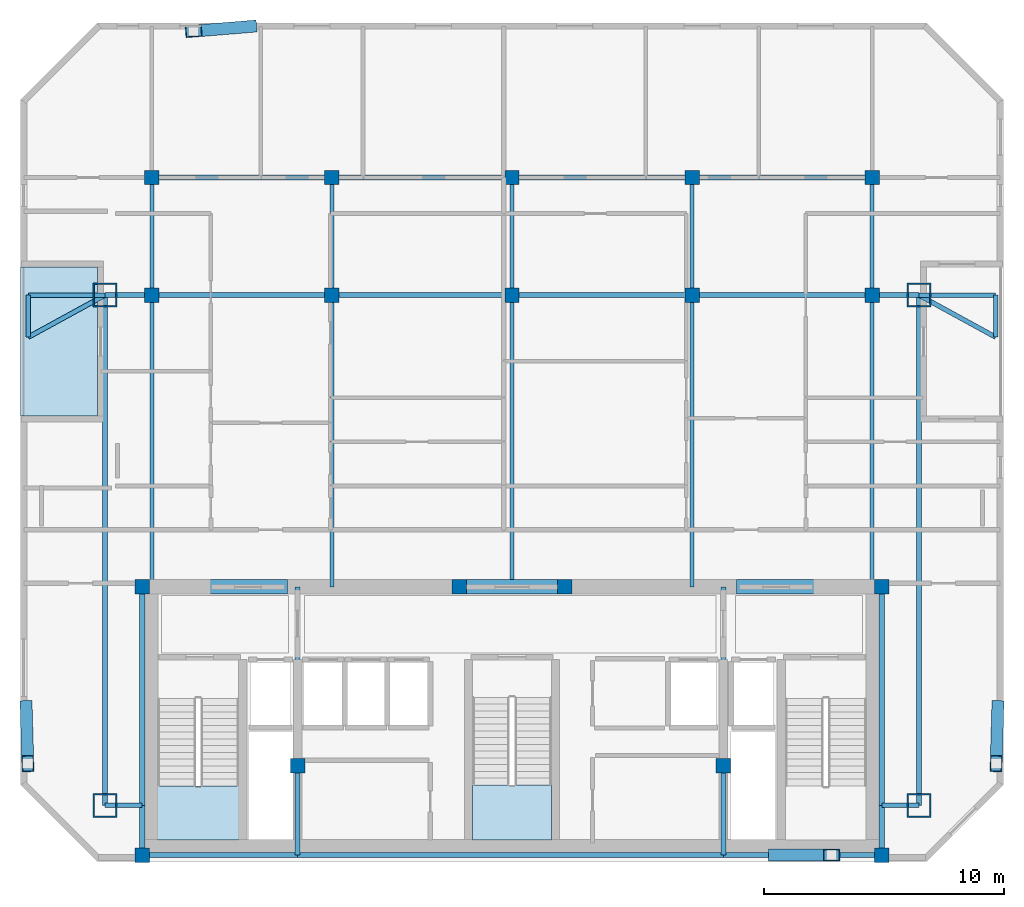
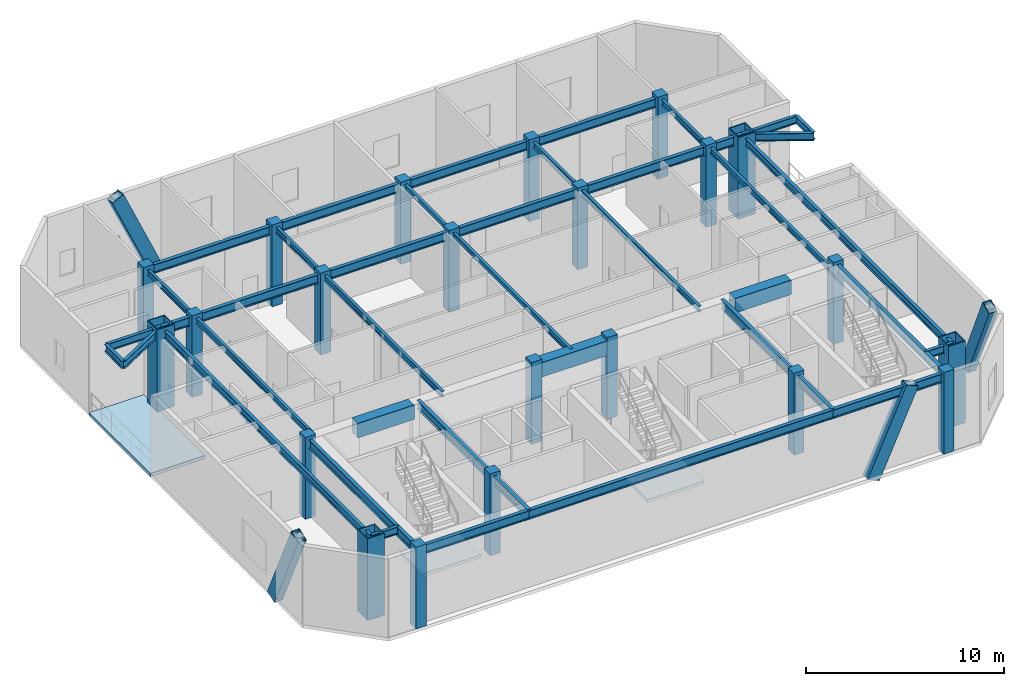
# One storey, part 1 of 7: 44 beams, 22 columns, 4 members, 3 slabs, 2 elements without a shape of their own.
"""IFC4 building model written with IfcOpenShell, lengths in metres."""

from ifc_helpers import new_model, si_unit, direction, frame, origin, origin_2d, place, context, subcontext, project, spatial, polyline, rectangle, hollow_rectangle, i_section, outline, extrude, material, layer, layer_set, material_profile, profile_set, type_object, element, aggregate, save


model = new_model("IFC4")

# Units and contexts
model_context = context("Model", 3, precision=1e-05, world=origin(), true_north=direction((0.0, 1.0)))
body_context = subcontext(model_context, "Body", "Model", "MODEL_VIEW")
ifc_project = project(units=[si_unit("LENGTHUNIT", "METRE"), si_unit("AREAUNIT", "SQUARE_METRE"), si_unit("VOLUMEUNIT", "CUBIC_METRE"), si_unit("PLANEANGLEUNIT", "RADIAN"), si_unit("MASSUNIT", "GRAM", prefix="KILO")], contexts=[model_context])

# Site, building, storey
site_placement = place(None, origin())
site = spatial("IfcSite", under=ifc_project, at=site_placement, CompositionType="ELEMENT")
building_placement = place(site_placement, origin())
building = spatial("IfcBuilding", under=site, at=building_placement, Name="Ventersveld Concourse Tower", CompositionType="ELEMENT")
storey_placement = place(building_placement, frame((0.0, 0.0, 276.0)))
storey = spatial("IfcBuildingStorey", under=building, at=storey_placement, Name="L68", CompositionType="ELEMENT", Elevation=276.0)

# Columns
ifc_material_1 = material(Name="Concrete C50/60", Category="concrete")
ifc_material_profile_1 = material_profile(ifc_material_1, rectangle(XDim=0.60009765625, YDim=0.60009765625, at=origin_2d()), Name="RC 600x600")
ifc_profile_set_1 = profile_set([ifc_material_profile_1], Name="Concrete C50/60")
column_type_1 = type_object("IfcColumnType", Name="COL-RC600", PredefinedType="COLUMN", material=ifc_profile_set_1)
for number, where, z_axis, x_axis, name in (
    (1, (13.35009765625, 0.280029296875, 0.0), (0.0, 0.0, 1.0), (1.0, 0.0, 0.0), "L68 Core Spine Column CC-SW"),
    (2, (44.14990234375, 0.280029296875, 0.0), (0.0, 0.0, 1.0), (1.0, 0.0, 0.0), "L68 Core Spine Column CC-SE"),
    (3, (13.35009765625, 11.449951171875, 0.0), (0.0, 0.0, 1.0), (1.0, 0.0, 0.0), "L68 Core Spine Column CC-NW"),
    (4, (44.14990234375, 11.449951171875, 0.0), (0.0, 0.0, 1.0), (1.0, 0.0, 0.0), "L68 Core Spine Column CC-NE"),
    (5, (19.820068359375, 4.0, 0.0), (0.0, 0.0, 1.0), (1.0, 0.0, 0.0), "L68 Core Spine Column CM-1"),
    (6, (37.550048828125, 4.0, 0.0), (0.0, 0.0, 1.0), (1.0, 0.0, 0.0), "L68 Core Spine Column CM-2"),
    (7, (26.550048828125, 11.449951171875, 0.0), (0.0, 0.0, 1.0), (1.0, 0.0, 0.0), "L68 Core Spine Column CM-3"),
    (8, (30.949951171875, 11.449951171875, 0.0), (0.0, 0.0, 1.0), (1.0, 0.0, 0.0), "L68 Core Spine Column CM-4"),
    (9, (13.75, 23.60009765625, 0.0), (0.0, 0.0, 1.0), (1.0, 0.0, 0.0), "L68 Interior Gravity Column X=13.75 Y=23.60"),
    (10, (21.25, 23.60009765625, 0.0), (0.0, 0.0, 1.0), (1.0, 0.0, 0.0), "L68 Interior Gravity Column X=21.25 Y=23.60"),
    (11, (28.75, 23.60009765625, 0.0), (0.0, 0.0, 1.0), (1.0, 0.0, 0.0), "L68 Interior Gravity Column X=28.75 Y=23.60"),
    (12, (36.25, 23.60009765625, 0.0), (0.0, 0.0, 1.0), (1.0, 0.0, 0.0), "L68 Interior Gravity Column X=36.25 Y=23.60"),
    (13, (43.75, 23.60009765625, 0.0), (0.0, 0.0, 1.0), (1.0, 0.0, 0.0), "L68 Interior Gravity Column X=43.75 Y=23.60"),
    (14, (13.75, 28.5, 0.0), (0.0, 0.0, 1.0), (1.0, 0.0, 0.0), "L68 Upper-North Gravity Column X=13.75 Y=28.50"),
    (15, (21.25, 28.5, 0.0), (0.0, 0.0, 1.0), (1.0, 0.0, 0.0), "L68 Upper-North Gravity Column X=21.25 Y=28.50"),
    (16, (28.75, 28.5, 0.0), (0.0, 0.0, 1.0), (1.0, 0.0, 0.0), "L68 Upper-North Gravity Column X=28.75 Y=28.50"),
    (17, (36.25, 28.5, 0.0), (0.0, 0.0, 1.0), (1.0, 0.0, 0.0), "L68 Upper-North Gravity Column X=36.25 Y=28.50"),
    (18, (43.75, 28.5, 0.0), (0.0, 0.0, 1.0), (1.0, 0.0, 0.0), "L68 Upper-North Gravity Column X=43.75 Y=28.50"),
):
    element("IfcColumn", number, at=place(storey_placement, frame(where, z_axis=z_axis, x_axis=x_axis)), inside=storey, type_object=column_type_1, Name=name, PredefinedType="COLUMN", context=body_context, shape_type="SweptSolid", body=[
        extrude(rectangle(XDim=0.60009765625, YDim=0.60009765625, at=origin_2d()), origin(), (0.0, 0.0, 1.0), 5.050048828125),
    ])
ifc_material_2 = material(Name="Structural steel S460ML", Category="steel")
ifc_material_profile_2 = material_profile(ifc_material_2, hollow_rectangle(XDim=1.0, YDim=1.0, WallThickness=0.06005859375, at=origin_2d()), Name="BOX 1000x1000x60")
ifc_profile_set_2 = profile_set([ifc_material_profile_2], Name="Structural steel S460ML")
column_type_2 = type_object("IfcColumnType", Name="MC-1000", PredefinedType="USERDEFINED", material=ifc_profile_set_2)
for number, where, z_axis, x_axis, name in (
    (19, (11.800048828125, 2.35009765625, 0.0), (0.0, 0.0, 1.0), (1.0, 0.0, 0.0), "L68 Corner Mega-Column MC-SW"),
    (20, (45.699951171875, 2.35009765625, 0.0), (0.0, 0.0, 1.0), (1.0, 0.0, 0.0), "L68 Corner Mega-Column MC-SE"),
    (21, (45.699951171875, 23.60009765625, 0.0), (0.0, 0.0, 1.0), (1.0, 0.0, 0.0), "L68 Corner Mega-Column MC-NE"),
    (22, (11.800048828125, 23.60009765625, 0.0), (0.0, 0.0, 1.0), (1.0, 0.0, 0.0), "L68 Corner Mega-Column MC-NW"),
):
    element("IfcColumn", number, at=place(storey_placement, frame(where, z_axis=z_axis, x_axis=x_axis)), inside=storey, type_object=column_type_2, Name=name, ObjectType="MEGA_COLUMN", PredefinedType="USERDEFINED", context=body_context, shape_type="SweptSolid", body=[
        extrude(hollow_rectangle(XDim=1.0, YDim=1.0, WallThickness=0.06005859375, at=origin_2d()), origin(), (0.0, 0.0, 1.0), 5.050048828125),
    ])

# Beams
ifc_material_3 = material(Name="Structural steel S355J2", Category="steel")
ifc_material_profile_3 = material_profile(ifc_material_3, i_section(OverallWidth=0.17138671875, OverallDepth=0.35498046875, WebThickness=0.00732421875, FlangeThickness=0.011474609375, FilletRadius=0.01025390625, at=origin_2d()), Name="UB 356x171x51")
ifc_profile_set_3 = profile_set([ifc_material_profile_3], Name="Structural steel S355J2")
beam_type_1 = type_object("IfcBeamType", Name="BM-UB356", PredefinedType="BEAM", material=ifc_profile_set_3)
beam_1_placement = place(storey_placement, frame((13.75, 11.449951171875, 4.672607421875), z_axis=(0.0, 1.0, 0.0), x_axis=(-1.0, 0.0, 0.0)))
element("IfcBeam", 23, at=beam_1_placement, inside=storey, type_object=beam_type_1, Name="L68 N-S Composite Floor Beam South X=13.75", PredefinedType="BEAM", context=body_context, shape_type="SweptSolid", body=[
    extrude(i_section(OverallWidth=0.17138671875, OverallDepth=0.35498046875, WebThickness=0.00732421875, FlangeThickness=0.011474609375, FilletRadius=0.01025390625, at=origin_2d()), origin(), (0.0, 0.0, 1.0), 12.150146484375),
])
beam_2_placement = place(storey_placement, frame((13.75, 23.60009765625, 4.672607421875), z_axis=(0.0, 1.0, 0.0), x_axis=(-1.0, 0.0, 0.0)))
element("IfcBeam", 24, at=beam_2_placement, inside=storey, type_object=beam_type_1, Name="L68 N-S Upper-Zone Floor Beam X=13.75", PredefinedType="BEAM", context=body_context, shape_type="SweptSolid", body=[
    extrude(i_section(OverallWidth=0.17138671875, OverallDepth=0.35498046875, WebThickness=0.00732421875, FlangeThickness=0.011474609375, FilletRadius=0.01025390625, at=origin_2d()), origin(), (0.0, 0.0, 1.0), 4.89990234375),
])
beam_3_placement = place(storey_placement, frame((21.25, 11.449951171875, 4.672607421875), z_axis=(0.0, 1.0, 0.0), x_axis=(-1.0, 0.0, 0.0)))
element("IfcBeam", 25, at=beam_3_placement, inside=storey, type_object=beam_type_1, Name="L68 N-S Composite Floor Beam South X=21.25", PredefinedType="BEAM", context=body_context, shape_type="SweptSolid", body=[
    extrude(i_section(OverallWidth=0.17138671875, OverallDepth=0.35498046875, WebThickness=0.00732421875, FlangeThickness=0.011474609375, FilletRadius=0.01025390625, at=origin_2d()), origin(), (0.0, 0.0, 1.0), 12.150146484375),
])
beam_4_placement = place(storey_placement, frame((21.25, 23.60009765625, 4.672607421875), z_axis=(0.0, 1.0, 0.0), x_axis=(-1.0, 0.0, 0.0)))
element("IfcBeam", 26, at=beam_4_placement, inside=storey, type_object=beam_type_1, Name="L68 N-S Upper-Zone Floor Beam X=21.25", PredefinedType="BEAM", context=body_context, shape_type="SweptSolid", body=[
    extrude(i_section(OverallWidth=0.17138671875, OverallDepth=0.35498046875, WebThickness=0.00732421875, FlangeThickness=0.011474609375, FilletRadius=0.01025390625, at=origin_2d()), origin(), (0.0, 0.0, 1.0), 4.89990234375),
])
beam_5_placement = place(storey_placement, frame((28.75, 11.449951171875, 4.672607421875), z_axis=(0.0, 1.0, 0.0), x_axis=(-1.0, 0.0, 0.0)))
element("IfcBeam", 27, at=beam_5_placement, inside=storey, type_object=beam_type_1, Name="L68 N-S Composite Floor Beam South X=28.75", PredefinedType="BEAM", context=body_context, shape_type="SweptSolid", body=[
    extrude(i_section(OverallWidth=0.17138671875, OverallDepth=0.35498046875, WebThickness=0.00732421875, FlangeThickness=0.011474609375, FilletRadius=0.01025390625, at=origin_2d()), origin(), (0.0, 0.0, 1.0), 12.150146484375),
])
beam_6_placement = place(storey_placement, frame((28.75, 23.60009765625, 4.672607421875), z_axis=(0.0, 1.0, 0.0), x_axis=(-1.0, 0.0, 0.0)))
element("IfcBeam", 28, at=beam_6_placement, inside=storey, type_object=beam_type_1, Name="L68 N-S Upper-Zone Floor Beam X=28.75", PredefinedType="BEAM", context=body_context, shape_type="SweptSolid", body=[
    extrude(i_section(OverallWidth=0.17138671875, OverallDepth=0.35498046875, WebThickness=0.00732421875, FlangeThickness=0.011474609375, FilletRadius=0.01025390625, at=origin_2d()), origin(), (0.0, 0.0, 1.0), 4.89990234375),
])
beam_7_placement = place(storey_placement, frame((36.25, 11.449951171875, 4.672607421875), z_axis=(0.0, 1.0, 0.0), x_axis=(-1.0, 0.0, 0.0)))
element("IfcBeam", 29, at=beam_7_placement, inside=storey, type_object=beam_type_1, Name="L68 N-S Composite Floor Beam South X=36.25", PredefinedType="BEAM", context=body_context, shape_type="SweptSolid", body=[
    extrude(i_section(OverallWidth=0.17138671875, OverallDepth=0.35498046875, WebThickness=0.00732421875, FlangeThickness=0.011474609375, FilletRadius=0.01025390625, at=origin_2d()), origin(), (0.0, 0.0, 1.0), 12.150146484375),
])
beam_8_placement = place(storey_placement, frame((36.25, 23.60009765625, 4.672607421875), z_axis=(0.0, 1.0, 0.0), x_axis=(-1.0, 0.0, 0.0)))
element("IfcBeam", 30, at=beam_8_placement, inside=storey, type_object=beam_type_1, Name="L68 N-S Upper-Zone Floor Beam X=36.25", PredefinedType="BEAM", context=body_context, shape_type="SweptSolid", body=[
    extrude(i_section(OverallWidth=0.17138671875, OverallDepth=0.35498046875, WebThickness=0.00732421875, FlangeThickness=0.011474609375, FilletRadius=0.01025390625, at=origin_2d()), origin(), (0.0, 0.0, 1.0), 4.89990234375),
])
beam_9_placement = place(storey_placement, frame((43.75, 11.449951171875, 4.672607421875), z_axis=(0.0, 1.0, 0.0), x_axis=(-1.0, 0.0, 0.0)))
element("IfcBeam", 31, at=beam_9_placement, inside=storey, type_object=beam_type_1, Name="L68 N-S Composite Floor Beam South X=43.75", PredefinedType="BEAM", context=body_context, shape_type="SweptSolid", body=[
    extrude(i_section(OverallWidth=0.17138671875, OverallDepth=0.35498046875, WebThickness=0.00732421875, FlangeThickness=0.011474609375, FilletRadius=0.01025390625, at=origin_2d()), origin(), (0.0, 0.0, 1.0), 12.150146484375),
])
beam_10_placement = place(storey_placement, frame((43.75, 23.60009765625, 4.672607421875), z_axis=(0.0, 1.0, 0.0), x_axis=(-1.0, 0.0, 0.0)))
element("IfcBeam", 32, at=beam_10_placement, inside=storey, type_object=beam_type_1, Name="L68 N-S Upper-Zone Floor Beam X=43.75", PredefinedType="BEAM", context=body_context, shape_type="SweptSolid", body=[
    extrude(i_section(OverallWidth=0.17138671875, OverallDepth=0.35498046875, WebThickness=0.00732421875, FlangeThickness=0.011474609375, FilletRadius=0.01025390625, at=origin_2d()), origin(), (0.0, 0.0, 1.0), 4.89990234375),
])
ifc_material_profile_4 = material_profile(ifc_material_1, rectangle(XDim=0.60009765625, YDim=0.89990234375, at=origin_2d()), Name="RC 600x900")
ifc_profile_set_4 = profile_set([ifc_material_profile_4], Name="Concrete C50/60")
beam_type_2 = type_object("IfcBeamType", Name="CB-RC600x900U", PredefinedType="LINTEL", material=ifc_profile_set_4)
beam_11_placement = place(storey_placement, frame((16.10009765625, 11.449951171875, 4.39990234375), z_axis=(1.0, 0.0, 0.0), x_axis=(0.0, 1.0, 0.0)))
element("IfcBeam", 33, at=beam_11_placement, inside=storey, type_object=beam_type_2, Name="L68 Core Coupling Lintel Beam 1", PredefinedType="LINTEL", context=body_context, shape_type="SweptSolid", body=[
    extrude(rectangle(XDim=0.60009765625, YDim=0.89990234375, at=origin_2d()), origin(), (0.0, 0.0, 1.0), 3.2998046875),
])
beam_12_placement = place(storey_placement, frame((26.5, 11.449951171875, 4.39990234375), z_axis=(1.0, 0.0, 0.0), x_axis=(0.0, 1.0, 0.0)))
element("IfcBeam", 34, at=beam_12_placement, inside=storey, type_object=beam_type_2, Name="L68 Core Coupling Lintel Beam 2", PredefinedType="LINTEL", context=body_context, shape_type="SweptSolid", body=[
    extrude(rectangle(XDim=0.60009765625, YDim=0.89990234375, at=origin_2d()), origin(), (0.0, 0.0, 1.0), 4.5),
])
beam_13_placement = place(storey_placement, frame((38.10009765625, 11.449951171875, 4.39990234375), z_axis=(1.0, 0.0, 0.0), x_axis=(0.0, 1.0, 0.0)))
element("IfcBeam", 35, at=beam_13_placement, inside=storey, type_object=beam_type_2, Name="L68 Core Coupling Lintel Beam 3", PredefinedType="LINTEL", context=body_context, shape_type="SweptSolid", body=[
    extrude(rectangle(XDim=0.60009765625, YDim=0.89990234375, at=origin_2d()), origin(), (0.0, 0.0, 1.0), 3.2998046875),
])
ifc_material_profile_5 = material_profile(ifc_material_3, i_section(OverallWidth=0.2119140625, OverallDepth=0.54443359375, WebThickness=0.0126953125, FlangeThickness=0.021240234375, FilletRadius=0.0126953125, at=origin_2d()), Name="UB 533x210x122")
ifc_profile_set_5 = profile_set([ifc_material_profile_5], Name="Structural steel S355J2")
beam_type_3 = type_object("IfcBeamType", Name="GRD-UB533H", PredefinedType="T_BEAM", material=ifc_profile_set_5)
beam_14_placement = place(storey_placement, frame((13.35009765625, 0.280029296875, 4.577880859375), z_axis=(0.0, 1.0, 0.0), x_axis=(-1.0, 0.0, 0.0)))
element("IfcBeam", 36, at=beam_14_placement, inside=storey, type_object=beam_type_3, Name="L68 Core West Tie Beam S", PredefinedType="T_BEAM", context=body_context, shape_type="SweptSolid", body=[
    extrude(i_section(OverallWidth=0.2119140625, OverallDepth=0.54443359375, WebThickness=0.0126953125, FlangeThickness=0.021240234375, FilletRadius=0.0126953125, at=origin_2d()), origin(), (0.0, 0.0, 1.0), 2.070068359375),
])
beam_15_placement = place(storey_placement, frame((13.35009765625, 2.35009765625, 4.577880859375), z_axis=(0.0, 1.0, 0.0), x_axis=(-1.0, 0.0, 0.0)))
element("IfcBeam", 37, at=beam_15_placement, inside=storey, type_object=beam_type_3, Name="L68 Core West Tie Beam N", PredefinedType="T_BEAM", context=body_context, shape_type="SweptSolid", body=[
    extrude(i_section(OverallWidth=0.2119140625, OverallDepth=0.54443359375, WebThickness=0.0126953125, FlangeThickness=0.021240234375, FilletRadius=0.0126953125, at=origin_2d()), origin(), (0.0, 0.0, 1.0), 9.099853515625),
])
beam_16_placement = place(storey_placement, frame((44.14990234375, 0.280029296875, 4.577880859375), z_axis=(0.0, 1.0, 0.0), x_axis=(-1.0, 0.0, 0.0)))
element("IfcBeam", 38, at=beam_16_placement, inside=storey, type_object=beam_type_3, Name="L68 Core East Tie Beam S", PredefinedType="T_BEAM", context=body_context, shape_type="SweptSolid", body=[
    extrude(i_section(OverallWidth=0.2119140625, OverallDepth=0.54443359375, WebThickness=0.0126953125, FlangeThickness=0.021240234375, FilletRadius=0.0126953125, at=origin_2d()), origin(), (0.0, 0.0, 1.0), 2.070068359375),
])
beam_17_placement = place(storey_placement, frame((44.14990234375, 2.35009765625, 4.577880859375), z_axis=(0.0, 1.0, 0.0), x_axis=(-1.0, 0.0, 0.0)))
element("IfcBeam", 39, at=beam_17_placement, inside=storey, type_object=beam_type_3, Name="L68 Core East Tie Beam N", PredefinedType="T_BEAM", context=body_context, shape_type="SweptSolid", body=[
    extrude(i_section(OverallWidth=0.2119140625, OverallDepth=0.54443359375, WebThickness=0.0126953125, FlangeThickness=0.021240234375, FilletRadius=0.0126953125, at=origin_2d()), origin(), (0.0, 0.0, 1.0), 9.099853515625),
])
beam_18_placement = place(storey_placement, frame((13.35009765625, 0.280029296875, 4.577880859375), z_axis=(1.0, 0.0, 0.0), x_axis=(0.0, 1.0, 0.0)))
element("IfcBeam", 40, at=beam_18_placement, inside=storey, type_object=beam_type_3, Name="L68 Core South Tie Beam W", PredefinedType="T_BEAM", context=body_context, shape_type="SweptSolid", body=[
    extrude(i_section(OverallWidth=0.2119140625, OverallDepth=0.54443359375, WebThickness=0.0126953125, FlangeThickness=0.021240234375, FilletRadius=0.0126953125, at=origin_2d()), origin(), (0.0, 0.0, 1.0), 6.469970703125),
])
beam_19_placement = place(storey_placement, frame((19.820068359375, 0.280029296875, 4.577880859375), z_axis=(1.0, 0.0, 0.0), x_axis=(0.0, 1.0, 0.0)))
element("IfcBeam", 41, at=beam_19_placement, inside=storey, type_object=beam_type_3, Name="L68 Core South Tie Beam C", PredefinedType="T_BEAM", context=body_context, shape_type="SweptSolid", body=[
    extrude(i_section(OverallWidth=0.2119140625, OverallDepth=0.54443359375, WebThickness=0.0126953125, FlangeThickness=0.021240234375, FilletRadius=0.0126953125, at=origin_2d()), origin(), (0.0, 0.0, 1.0), 17.72998046875),
])
beam_20_placement = place(storey_placement, frame((37.550048828125, 0.280029296875, 4.577880859375), z_axis=(1.0, 0.0, 0.0), x_axis=(0.0, 1.0, 0.0)))
element("IfcBeam", 42, at=beam_20_placement, inside=storey, type_object=beam_type_3, Name="L68 Core South Tie Beam E", PredefinedType="T_BEAM", context=body_context, shape_type="SweptSolid", body=[
    extrude(i_section(OverallWidth=0.2119140625, OverallDepth=0.54443359375, WebThickness=0.0126953125, FlangeThickness=0.021240234375, FilletRadius=0.0126953125, at=origin_2d()), origin(), (0.0, 0.0, 1.0), 6.599853515625),
])
beam_21_placement = place(storey_placement, frame((19.820068359375, 0.280029296875, 4.577880859375), z_axis=(0.0, 1.0, 0.0), x_axis=(-1.0, 0.0, 0.0)))
element("IfcBeam", 43, at=beam_21_placement, inside=storey, type_object=beam_type_3, Name="L68 Core Spine N-S Tie Beam W1", PredefinedType="T_BEAM", context=body_context, shape_type="SweptSolid", body=[
    extrude(i_section(OverallWidth=0.2119140625, OverallDepth=0.54443359375, WebThickness=0.0126953125, FlangeThickness=0.021240234375, FilletRadius=0.0126953125, at=origin_2d()), origin(), (0.0, 0.0, 1.0), 3.719970703125),
])
beam_22_placement = place(storey_placement, frame((19.820068359375, 4.0, 4.577880859375), z_axis=(0.0, 1.0, 0.0), x_axis=(-1.0, 0.0, 0.0)))
element("IfcBeam", 44, at=beam_22_placement, inside=storey, type_object=beam_type_3, Name="L68 Core Spine N-S Tie Beam W2", PredefinedType="T_BEAM", context=body_context, shape_type="SweptSolid", body=[
    extrude(i_section(OverallWidth=0.2119140625, OverallDepth=0.54443359375, WebThickness=0.0126953125, FlangeThickness=0.021240234375, FilletRadius=0.0126953125, at=origin_2d()), origin(), (0.0, 0.0, 1.0), 7.449951171875),
])
beam_23_placement = place(storey_placement, frame((37.550048828125, 0.280029296875, 4.577880859375), z_axis=(0.0, 1.0, 0.0), x_axis=(-1.0, 0.0, 0.0)))
element("IfcBeam", 45, at=beam_23_placement, inside=storey, type_object=beam_type_3, Name="L68 Core Spine N-S Tie Beam E1", PredefinedType="T_BEAM", context=body_context, shape_type="SweptSolid", body=[
    extrude(i_section(OverallWidth=0.2119140625, OverallDepth=0.54443359375, WebThickness=0.0126953125, FlangeThickness=0.021240234375, FilletRadius=0.0126953125, at=origin_2d()), origin(), (0.0, 0.0, 1.0), 3.719970703125),
])
beam_24_placement = place(storey_placement, frame((37.550048828125, 4.0, 4.577880859375), z_axis=(0.0, 1.0, 0.0), x_axis=(-1.0, 0.0, 0.0)))
element("IfcBeam", 46, at=beam_24_placement, inside=storey, type_object=beam_type_3, Name="L68 Core Spine N-S Tie Beam E2", PredefinedType="T_BEAM", context=body_context, shape_type="SweptSolid", body=[
    extrude(i_section(OverallWidth=0.2119140625, OverallDepth=0.54443359375, WebThickness=0.0126953125, FlangeThickness=0.021240234375, FilletRadius=0.0126953125, at=origin_2d()), origin(), (0.0, 0.0, 1.0), 7.449951171875),
])
beam_25_placement = place(storey_placement, frame((11.800048828125, 23.60009765625, 4.577880859375), z_axis=(1.0, 0.0, 0.0), x_axis=(0.0, 1.0, 0.0)))
element("IfcBeam", 47, at=beam_25_placement, inside=storey, type_object=beam_type_3, Name="L68 Primary E-W Grid Girder Y=23.60 #1", PredefinedType="T_BEAM", context=body_context, shape_type="SweptSolid", body=[
    extrude(i_section(OverallWidth=0.2119140625, OverallDepth=0.54443359375, WebThickness=0.0126953125, FlangeThickness=0.021240234375, FilletRadius=0.0126953125, at=origin_2d()), origin(), (0.0, 0.0, 1.0), 1.949951171875),
])
for number, where, z_axis, x_axis, name in (
    (48, (13.75, 23.60009765625, 4.577880859375), (1.0, 0.0, 0.0), (0.0, 1.0, 0.0), "L68 Primary E-W Grid Girder Y=23.60 #2"),
    (49, (21.25, 23.60009765625, 4.577880859375), (1.0, 0.0, 0.0), (0.0, 1.0, 0.0), "L68 Primary E-W Grid Girder Y=23.60 #3"),
    (50, (28.75, 23.60009765625, 4.577880859375), (1.0, 0.0, 0.0), (0.0, 1.0, 0.0), "L68 Primary E-W Grid Girder Y=23.60 #4"),
    (51, (36.25, 23.60009765625, 4.577880859375), (1.0, 0.0, 0.0), (0.0, 1.0, 0.0), "L68 Primary E-W Grid Girder Y=23.60 #5"),
):
    element("IfcBeam", number, at=place(storey_placement, frame(where, z_axis=z_axis, x_axis=x_axis)), inside=storey, type_object=beam_type_3, Name=name, PredefinedType="T_BEAM", context=body_context, shape_type="SweptSolid", body=[
        extrude(i_section(OverallWidth=0.2119140625, OverallDepth=0.54443359375, WebThickness=0.0126953125, FlangeThickness=0.021240234375, FilletRadius=0.0126953125, at=origin_2d()), origin(), (0.0, 0.0, 1.0), 7.5),
    ])
beam_26_placement = place(storey_placement, frame((43.75, 23.60009765625, 4.577880859375), z_axis=(1.0, 0.0, 0.0), x_axis=(0.0, 1.0, 0.0)))
element("IfcBeam", 52, at=beam_26_placement, inside=storey, type_object=beam_type_3, Name="L68 Primary E-W Grid Girder Y=23.60 #6", PredefinedType="T_BEAM", context=body_context, shape_type="SweptSolid", body=[
    extrude(i_section(OverallWidth=0.2119140625, OverallDepth=0.54443359375, WebThickness=0.0126953125, FlangeThickness=0.021240234375, FilletRadius=0.0126953125, at=origin_2d()), origin(), (0.0, 0.0, 1.0), 1.949951171875),
])
for number, where, z_axis, x_axis, name in (
    (53, (13.75, 28.5, 4.577880859375), (1.0, 0.0, 0.0), (0.0, 1.0, 0.0), "L68 Upper-North E-W Girder Y=28.50 #1"),
    (54, (21.25, 28.5, 4.577880859375), (1.0, 0.0, 0.0), (0.0, 1.0, 0.0), "L68 Upper-North E-W Girder Y=28.50 #2"),
    (55, (28.75, 28.5, 4.577880859375), (1.0, 0.0, 0.0), (0.0, 1.0, 0.0), "L68 Upper-North E-W Girder Y=28.50 #3"),
    (56, (36.25, 28.5, 4.577880859375), (1.0, 0.0, 0.0), (0.0, 1.0, 0.0), "L68 Upper-North E-W Girder Y=28.50 #4"),
):
    element("IfcBeam", number, at=place(storey_placement, frame(where, z_axis=z_axis, x_axis=x_axis)), inside=storey, type_object=beam_type_3, Name=name, PredefinedType="T_BEAM", context=body_context, shape_type="SweptSolid", body=[
        extrude(i_section(OverallWidth=0.2119140625, OverallDepth=0.54443359375, WebThickness=0.0126953125, FlangeThickness=0.021240234375, FilletRadius=0.0126953125, at=origin_2d()), origin(), (0.0, 0.0, 1.0), 7.5),
    ])

# Members
ifc_material_4 = material(Name="Structural steel S355ML", Category="steel")
ifc_material_profile_6 = material_profile(ifc_material_4, hollow_rectangle(XDim=0.5, YDim=0.75, WallThickness=0.034912109375, at=origin_2d()), Name="BOX 750x500x35")
ifc_profile_set_6 = profile_set([ifc_material_profile_6], Name="Structural steel S355ML")
member_type = type_object("IfcMemberType", Name="MB-750x500", PredefinedType="BRACE", material=ifc_profile_set_6)
member_1_placement = place(storey_placement, frame((17.77099609375, 34.783203125, -0.199951171875), z_axis=(-0.411475193003, -0.033816259842, 0.910793404737), x_axis=(0.08190684983, -0.996639989139, 0.0)))
element("IfcMember", 57, at=member_1_placement, inside=storey, type_object=member_type, Name="L68 Exterior Mega-Brace N (Module M16)", PredefinedType="BRACE", context=body_context, shape_type="SweptSolid", body=[
    extrude(hollow_rectangle(XDim=0.5, YDim=0.75, WallThickness=0.034912109375, at=origin_2d()), origin(), (0.0, 0.0, 1.0), 5.544677734375),
])
member_2_placement = place(storey_placement, frame((39.77880859375, 0.280029296875, -0.199951171875), z_axis=(0.411747251944, 0.0, 0.911298085434), x_axis=(0.0, 1.0, 0.0)))
element("IfcMember", 58, at=member_2_placement, inside=storey, type_object=member_type, Name="L68 Exterior Mega-Brace S (Module M16)", PredefinedType="BRACE", context=body_context, shape_type="SweptSolid", body=[
    extrude(hollow_rectangle(XDim=0.5, YDim=0.75, WallThickness=0.034912109375, at=origin_2d()), origin(), (0.0, 0.0, 1.0), 5.54150390625),
])
for number, where, z_axis, x_axis, name in (
    (59, (8.518798828125, 6.37109375, -0.199951171875), (0.011674252645, -0.411682607426, 0.911252513066), (0.999598170968, 0.028346015549, 0.0), "L68 Exterior Mega-Brace W (Module M16)"),
    (60, (48.981201171875, 6.37109375, -0.199951171875), (-0.011674252645, -0.411682607426, 0.911252513066), (0.999598170968, -0.028346015549, 0.0), "L68 Exterior Mega-Brace E (Module M16)"),
):
    element("IfcMember", number, at=place(storey_placement, frame(where, z_axis=z_axis, x_axis=x_axis)), inside=storey, type_object=member_type, Name=name, PredefinedType="BRACE", context=body_context, shape_type="SweptSolid", body=[
        extrude(hollow_rectangle(XDim=0.5, YDim=0.75, WallThickness=0.034912109375, at=origin_2d()), origin(), (0.0, 0.0, 1.0), 5.5419921875),
    ])

# Beams
ifc_material_profile_7 = material_profile(ifc_material_3, i_section(OverallWidth=0.19140625, OverallDepth=0.4599609375, WebThickness=0.010009765625, FlangeThickness=0.01611328125, FilletRadius=0.01025390625, at=origin_2d()), Name="UB 457x191x82")
ifc_profile_set_7 = profile_set([ifc_material_profile_7], Name="Structural steel S355J2")
beam_type_4 = type_object("IfcBeamType", Name="SPD-UB457", PredefinedType="SPANDREL", material=ifc_profile_set_7)
for number, where, z_axis, x_axis, name in (
    (61, (11.800048828125, 2.35009765625, 4.6201171875), (1.0, 0.0, 0.0), (0.0, 1.0, 0.0), "L68 SW Spandrel Beam"),
    (62, (44.14990234375, 2.35009765625, 4.6201171875), (1.0, 0.0, 0.0), (0.0, 1.0, 0.0), "L68 SE Spandrel Beam"),
):
    element("IfcBeam", number, at=place(storey_placement, frame(where, z_axis=z_axis, x_axis=x_axis)), inside=storey, type_object=beam_type_4, Name=name, PredefinedType="SPANDREL", context=body_context, shape_type="SweptSolid", body=[
        extrude(i_section(OverallWidth=0.19140625, OverallDepth=0.4599609375, WebThickness=0.010009765625, FlangeThickness=0.01611328125, FilletRadius=0.01025390625, at=origin_2d()), origin(), (0.0, 0.0, 1.0), 1.550048828125),
    ])
for number, where, z_axis, x_axis, name in (
    (63, (11.800048828125, 2.35009765625, 4.6201171875), (0.0, 1.0, 0.0), (-1.0, 0.0, 0.0), "L68 West Spandrel Beam"),
    (64, (45.699951171875, 2.35009765625, 4.6201171875), (0.0, 1.0, 0.0), (-1.0, 0.0, 0.0), "L68 East Spandrel Beam"),
):
    element("IfcBeam", number, at=place(storey_placement, frame(where, z_axis=z_axis, x_axis=x_axis)), inside=storey, type_object=beam_type_4, Name=name, PredefinedType="SPANDREL", context=body_context, shape_type="SweptSolid", body=[
        extrude(i_section(OverallWidth=0.19140625, OverallDepth=0.4599609375, WebThickness=0.010009765625, FlangeThickness=0.01611328125, FilletRadius=0.01025390625, at=origin_2d()), origin(), (0.0, 0.0, 1.0), 21.25),
    ])
beam_27_placement = place(storey_placement, frame((8.60302734375, 23.60009765625, 4.6201171875), z_axis=(1.0, 0.0, 0.0), x_axis=(0.0, 1.0, 0.0)))
element("IfcBeam", 65, at=beam_27_placement, inside=storey, type_object=beam_type_4, Name="L68 West Valley Bracket S", PredefinedType="SPANDREL", context=body_context, shape_type="SweptSolid", body=[
    extrude(i_section(OverallWidth=0.19140625, OverallDepth=0.4599609375, WebThickness=0.010009765625, FlangeThickness=0.01611328125, FilletRadius=0.01025390625, at=origin_2d()), origin(), (0.0, 0.0, 1.0), 3.197021484375),
])
beam_28_placement = place(storey_placement, frame((8.60302734375, 21.85009765625, 4.6201171875), z_axis=(0.877182929421, 0.480156337387, 0.0), x_axis=(-0.480156337387, 0.877182929421, 0.0)))
element("IfcBeam", 66, at=beam_28_placement, inside=storey, type_object=beam_type_4, Name="L68 West Valley Diagonal Bracket", PredefinedType="SPANDREL", context=body_context, shape_type="SweptSolid", body=[
    extrude(i_section(OverallWidth=0.19140625, OverallDepth=0.4599609375, WebThickness=0.010009765625, FlangeThickness=0.01611328125, FilletRadius=0.01025390625, at=origin_2d()), origin(), (0.0, 0.0, 1.0), 3.64453125),
])
beam_29_placement = place(storey_placement, frame((8.60302734375, 21.85009765625, 4.6201171875), z_axis=(0.0, 1.0, 0.0), x_axis=(-1.0, 0.0, 0.0)))
element("IfcBeam", 67, at=beam_29_placement, inside=storey, type_object=beam_type_4, Name="L68 West Valley Edge Beam", PredefinedType="SPANDREL", context=body_context, shape_type="SweptSolid", body=[
    extrude(i_section(OverallWidth=0.19140625, OverallDepth=0.4599609375, WebThickness=0.010009765625, FlangeThickness=0.01611328125, FilletRadius=0.01025390625, at=origin_2d()), origin(), (0.0, 0.0, 1.0), 1.75),
])
beam_30_placement = place(storey_placement, frame((45.699951171875, 23.60009765625, 4.6201171875), z_axis=(1.0, 0.0, 0.0), x_axis=(0.0, 1.0, 0.0)))
element("IfcBeam", 68, at=beam_30_placement, inside=storey, type_object=beam_type_4, Name="L68 East Valley Bracket S", PredefinedType="SPANDREL", context=body_context, shape_type="SweptSolid", body=[
    extrude(i_section(OverallWidth=0.19140625, OverallDepth=0.4599609375, WebThickness=0.010009765625, FlangeThickness=0.01611328125, FilletRadius=0.01025390625, at=origin_2d()), origin(), (0.0, 0.0, 1.0), 3.197021484375),
])
beam_31_placement = place(storey_placement, frame((45.699951171875, 23.60009765625, 4.6201171875), z_axis=(0.877182929421, -0.480156337387, 0.0), x_axis=(0.480156337387, 0.877182929421, 0.0)))
element("IfcBeam", 69, at=beam_31_placement, inside=storey, type_object=beam_type_4, Name="L68 East Valley Diagonal Bracket", PredefinedType="SPANDREL", context=body_context, shape_type="SweptSolid", body=[
    extrude(i_section(OverallWidth=0.19140625, OverallDepth=0.4599609375, WebThickness=0.010009765625, FlangeThickness=0.01611328125, FilletRadius=0.01025390625, at=origin_2d()), origin(), (0.0, 0.0, 1.0), 3.64453125),
])
beam_32_placement = place(storey_placement, frame((48.89697265625, 21.85009765625, 4.6201171875), z_axis=(0.0, 1.0, 0.0), x_axis=(-1.0, 0.0, 0.0)))
element("IfcBeam", 70, at=beam_32_placement, inside=storey, type_object=beam_type_4, Name="L68 East Valley Edge Beam", PredefinedType="SPANDREL", context=body_context, shape_type="SweptSolid", body=[
    extrude(i_section(OverallWidth=0.19140625, OverallDepth=0.4599609375, WebThickness=0.010009765625, FlangeThickness=0.01611328125, FilletRadius=0.01025390625, at=origin_2d()), origin(), (0.0, 0.0, 1.0), 1.75),
])

# Slab
ifc_layer_1 = layer(ifc_material_1, 0.199951171875)
ifc_layer_set_1 = layer_set([ifc_layer_1], Name="Concrete C50/60")
slab_type_1 = type_object("IfcSlabType", Name="SL-FLR-200", PredefinedType="FLOOR", material=ifc_layer_set_1)
slab_1_placement = place(storey_placement, frame((0.0, 0.0, -0.199951171875)))
element("IfcSlab", 71, at=slab_1_placement, inside=storey, type_object=slab_type_1, Name="L68 Outdoor Terrace Slab NOTCH-W", PredefinedType="FLOOR", context=body_context, shape_type="SweptSolid", body=[
    extrude(outline(polyline([(8.281982421875, 18.569091796875), (11.48193359375, 18.569091796875), (11.48193359375, 24.76904296875), (8.281982421875, 24.76904296875), (8.281982421875, 18.569091796875)])), origin(), (0.0, 0.0, 1.0), 0.199951171875),
])

# Stair, slab
stair_type_1 = type_object("IfcStairType", Name="ST-DOG-160", PredefinedType="HALF_TURN_STAIR", material=ifc_material_1)
stair_1_placement = place(storey_placement, origin())
stair_1 = element("IfcStair", 72, at=stair_1_placement, inside=storey, type_object=stair_type_1, Name="L68 Protected Tower Escape Stair ST-01", PredefinedType="HALF_TURN_STAIR")
ifc_layer_2 = layer(ifc_material_1, 0.199951171875)
ifc_layer_set_2 = layer_set([ifc_layer_2], Name="Concrete C50/60")
slab_type_2 = type_object("IfcSlabType", Name="SL-LND-200", PredefinedType="LANDING", material=ifc_layer_set_2)
slab_2_placement = place(storey_placement, frame((0.0, 0.0, 2.324951171875)))
slab_2 = element("IfcSlab", 73, at=slab_2_placement, type_object=slab_type_2, Name="ST-01 landing 1", PredefinedType="LANDING", context=body_context, shape_type="SweptSolid", body=[
    extrude(outline(polyline([(13.97998046875, 3.159912109375), (13.97998046875, 0.89990234375), (17.3798828125, 0.89990234375), (17.3798828125, 3.159912109375), (13.97998046875, 3.159912109375)])), origin(), (0.0, 0.0, 1.0), 0.199951171875),
])
aggregate(stair_1, [slab_2])

stair_type_2 = type_object("IfcStairType", Name="ST-DOG-155", PredefinedType="HALF_TURN_STAIR", material=ifc_material_1)
stair_2_placement = place(storey_placement, origin())
stair_2 = element("IfcStair", 74, at=stair_2_placement, inside=storey, type_object=stair_type_2, Name="L68 Protected Central Core Escape Stair ST-03", PredefinedType="HALF_TURN_STAIR")
slab_3_placement = place(storey_placement, frame((0.0, 0.0, 2.324951171875)))
slab_3 = element("IfcSlab", 75, at=slab_3_placement, type_object=slab_type_2, Name="ST-03 landing 1", PredefinedType="LANDING", context=body_context, shape_type="SweptSolid", body=[
    extrude(outline(polyline([(27.10009765625, 3.2099609375), (27.10009765625, 0.89990234375), (30.39990234375, 0.89990234375), (30.39990234375, 3.2099609375), (27.10009765625, 3.2099609375)])), origin(), (0.0, 0.0, 1.0), 0.199951171875),
])
aggregate(stair_2, [slab_3])

save(model, "model.ifc")
